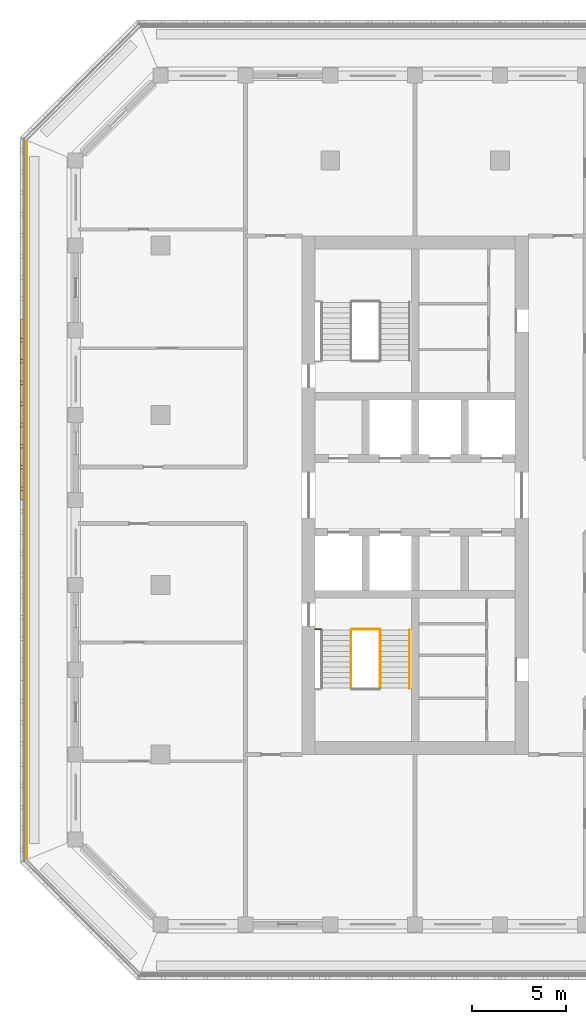
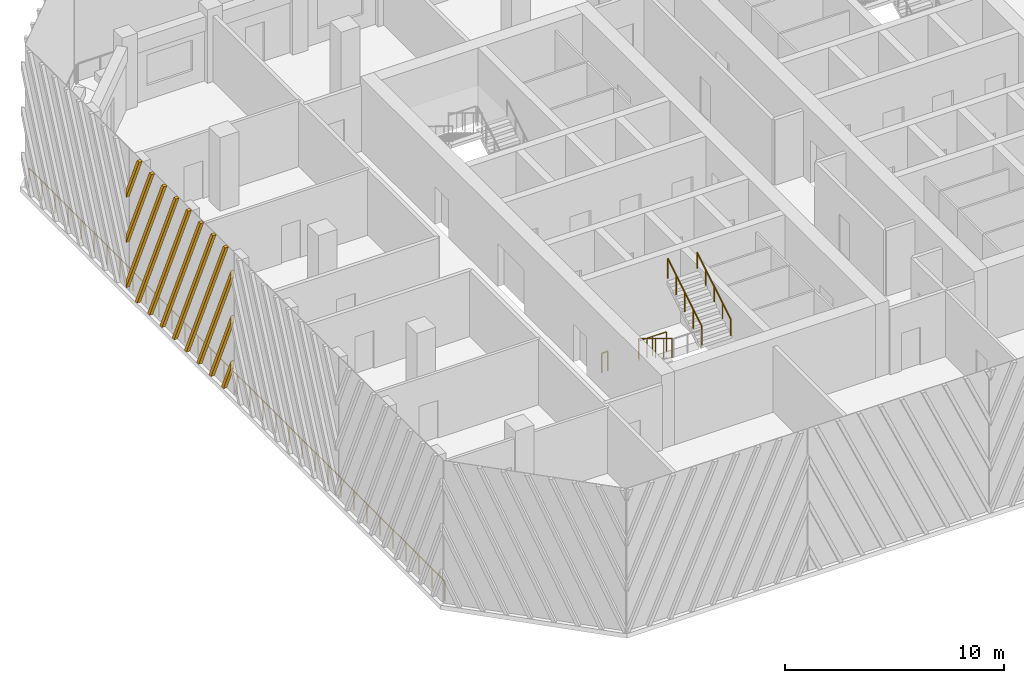
# One storey, part 10 of 15: 6 railings, 1 shading device.
"""IFC4 building model written with IfcOpenShell, lengths in metres."""

from ifc_helpers import new_model, si_unit, direction, frame, origin, origin_2d, place, context, subcontext, project, spatial, polyline, circle, outline, extrude, source, transform, mapped, material, type_object, element, save


model = new_model("IFC4")

# Units and contexts
model_context = context("Model", 3, precision=1e-05, world=origin(), true_north=direction((0.0, 1.0)))
body_context = subcontext(model_context, "Body", "Model", "MODEL_VIEW")
ifc_project = project(units=[si_unit("LENGTHUNIT", "METRE"), si_unit("AREAUNIT", "SQUARE_METRE"), si_unit("VOLUMEUNIT", "CUBIC_METRE"), si_unit("PLANEANGLEUNIT", "RADIAN"), si_unit("MASSUNIT", "GRAM", prefix="KILO")], contexts=[model_context])

# Site, building, storey
site_placement = place(None, origin())
site = spatial("IfcSite", under=ifc_project, at=site_placement, CompositionType="ELEMENT")
building_placement = place(site_placement, origin())
building = spatial("IfcBuilding", under=site, at=building_placement, Name="Corbel Stack Research Tower", CompositionType="ELEMENT")
storey_placement = place(building_placement, frame((0.0, 0.0, 282.699951171875)))
storey = spatial("IfcBuildingStorey", under=building, at=storey_placement, Name="L64", CompositionType="ELEMENT", Elevation=282.699951171875)

# Railings
ifc_material_1 = material(Name="Steel S355", Category="steel")
railing_type_1 = type_object("IfcRailingType", Name="Stair guard 1100", PredefinedType="GUARDRAIL", material=ifc_material_1)
railing_1_placement = place(storey_placement, frame((-7.89990234375, -2.39990234375, 0.1708984375)))
element("IfcRailing", 1, at=railing_1_placement, inside=storey, type_object=railing_type_1, Name="L64 ST-W1 stair guard 1", PredefinedType="GUARDRAIL", context=body_context, shape_type="SweptSolid", body=[
    extrude(circle(Radius=0.02392578125, at=origin_2d()), frame((0.0, 0.0, 1.076171875), z_axis=(0.0, -0.853666305674, 0.52082035152), x_axis=(1.0, 0.0, 0.0)), (0.0, 0.0, 1.0), 3.608154296875),
    extrude(circle(Radius=0.02099609375, at=origin_2d()), origin(), (0.0, 0.0, 1.0), 1.052001953125),
    extrude(circle(Radius=0.02099609375, at=origin_2d()), frame((0.0, -0.77001953125, 0.4697265625)), (0.0, 0.0, 1.0), 1.052001953125),
    extrude(circle(Radius=0.02099609375, at=origin_2d()), frame((0.0, -1.5400390625, 0.939453125)), (0.0, 0.0, 1.0), 1.052001953125),
    extrude(circle(Radius=0.02099609375, at=origin_2d()), frame((0.0, -2.31005859375, 1.409423828125)), (0.0, 0.0, 1.0), 1.052001953125),
    extrude(circle(Radius=0.02099609375, at=origin_2d()), frame((0.0, -3.080078125, 1.879150390625)), (0.0, 0.0, 1.0), 1.052001953125),
])
railing_2_placement = place(storey_placement, frame((-6.35009765625, -5.47998046875, 2.220947265625)))
element("IfcRailing", 2, at=railing_2_placement, inside=storey, type_object=railing_type_1, Name="L64 ST-W1 stair guard 4", PredefinedType="GUARDRAIL", context=body_context, shape_type="SweptSolid", body=[
    extrude(circle(Radius=0.02392578125, at=origin_2d()), frame((0.0, 0.0, 1.076171875), z_axis=(0.0, 0.853666305674, 0.52082035152), x_axis=(-1.0, 0.0, 0.0)), (0.0, 0.0, 1.0), 3.608154296875),
    extrude(circle(Radius=0.02099609375, at=origin_2d()), origin(), (0.0, 0.0, 1.0), 1.052001953125),
    extrude(circle(Radius=0.02099609375, at=origin_2d()), frame((0.0, 0.77001953125, 0.4697265625)), (0.0, 0.0, 1.0), 1.052001953125),
    extrude(circle(Radius=0.02099609375, at=origin_2d()), frame((0.0, 1.5400390625, 0.939453125)), (0.0, 0.0, 1.0), 1.052001953125),
    extrude(circle(Radius=0.02099609375, at=origin_2d()), frame((0.0, 2.31005859375, 1.409423828125)), (0.0, 0.0, 1.0), 1.052001953125),
    extrude(circle(Radius=0.02099609375, at=origin_2d()), frame((0.0, 3.080078125, 1.879150390625)), (0.0, 0.0, 1.0), 1.052001953125),
])
railing_3_placement = place(storey_placement, frame((-7.85009765625, -2.35009765625, 0.0)))
element("IfcRailing", 3, at=railing_3_placement, inside=storey, type_object=railing_type_1, Name="L64 ST-W1 stair guard 5", PredefinedType="GUARDRAIL", context=body_context, shape_type="SweptSolid", body=[
    extrude(circle(Radius=0.02392578125, at=origin_2d()), frame((0.0, 0.0, 1.076171875), z_axis=(1.0, 0.0, 0.0), x_axis=(0.0, 1.0, 0.0)), (0.0, 0.0, 1.0), 1.4501953125),
    extrude(circle(Radius=0.02099609375, at=origin_2d()), origin(), (0.0, 0.0, 1.0), 1.052001953125),
    extrude(circle(Radius=0.02099609375, at=origin_2d()), frame((0.72509765625, 0.0, 0.0)), (0.0, 0.0, 1.0), 1.052001953125),
    extrude(circle(Radius=0.02099609375, at=origin_2d()), frame((1.4501953125, 0.0, 0.0)), (0.0, 0.0, 1.0), 1.052001953125),
])
railing_4_placement = place(storey_placement, frame((-9.800048828125, -2.35009765625, 0.0)))
element("IfcRailing", 4, at=railing_4_placement, inside=storey, type_object=railing_type_1, Name="L64 ST-W1 stair guard 6", PredefinedType="GUARDRAIL", context=body_context, shape_type="SweptSolid", body=[
    extrude(circle(Radius=0.02392578125, at=origin_2d()), frame((0.0, 0.0, 1.076171875), z_axis=(1.0, 0.0, 0.0), x_axis=(0.0, 1.0, 0.0)), (0.0, 0.0, 1.0), 0.300048828125),
    extrude(circle(Radius=0.02099609375, at=origin_2d()), origin(), (0.0, 0.0, 1.0), 1.052001953125),
    extrude(circle(Radius=0.02099609375, at=origin_2d()), frame((0.300048828125, 0.0, 0.0)), (0.0, 0.0, 1.0), 1.052001953125),
])
ifc_material_2 = material(Name="Steel S355", Category="steel")
railing_type_2 = type_object("IfcRailingType", Name="Stair handrail 900", PredefinedType="HANDRAIL", material=ifc_material_2)
railing_5_placement = place(storey_placement, frame((-4.800048828125, -5.47998046875, 2.220947265625)))
element("IfcRailing", 5, at=railing_5_placement, inside=storey, type_object=railing_type_2, Name="L64 ST-W1 stair handrail 2", PredefinedType="HANDRAIL", context=body_context, shape_type="SweptSolid", body=[
    extrude(circle(Radius=0.02392578125, at=origin_2d()), frame((0.0, 0.0, 0.8759765625), z_axis=(0.0, 0.853666305674, 0.52082035152), x_axis=(-1.0, 0.0, 0.0)), (0.0, 0.0, 1.0), 3.608154296875),
    extrude(circle(Radius=0.02099609375, at=origin_2d()), origin(), (0.0, 0.0, 1.0), 0.851806640625),
    extrude(circle(Radius=0.02099609375, at=origin_2d()), frame((0.0, 0.77001953125, 0.4697265625)), (0.0, 0.0, 1.0), 0.851806640625),
    extrude(circle(Radius=0.02099609375, at=origin_2d()), frame((0.0, 1.5400390625, 0.939453125)), (0.0, 0.0, 1.0), 0.851806640625),
    extrude(circle(Radius=0.02099609375, at=origin_2d()), frame((0.0, 2.31005859375, 1.409423828125)), (0.0, 0.0, 1.0), 0.851806640625),
    extrude(circle(Radius=0.02099609375, at=origin_2d()), frame((0.0, 3.080078125, 1.879150390625)), (0.0, 0.0, 1.0), 0.851806640625),
])
ifc_material_3 = material(Name="Powder-coated steel guard", Category="steel")
railing_type_3 = type_object("IfcRailingType", Name="Steel and glass guard 1100", PredefinedType="GUARDRAIL", material=ifc_material_3)
railing_6_placement = place(storey_placement, frame((-25.10009765625, 23.50537109375, 0.0)))
element("IfcRailing", 6, at=railing_6_placement, inside=storey, type_object=railing_type_3, Name="Loggia guard L64 W", PredefinedType="GUARDRAIL", context=body_context, shape_type="SweptSolid", body=[
    extrude(circle(Radius=0.02392578125, at=origin_2d()), frame((0.0, 0.0, 1.076171875), z_axis=(0.0, -1.0, 0.0), x_axis=(1.0, 0.0, 0.0)), (0.0, 0.0, 1.0), 38.0107421875),
    extrude(circle(Radius=0.02099609375, at=origin_2d()), origin(), (0.0, 0.0, 1.0), 1.052001953125),
    extrude(circle(Radius=0.02099609375, at=origin_2d()), frame((0.0, -1.187744140625, 0.0)), (0.0, 0.0, 1.0), 1.052001953125),
    extrude(circle(Radius=0.02099609375, at=origin_2d()), frame((0.0, -2.375732421875, 0.0)), (0.0, 0.0, 1.0), 1.052001953125),
    extrude(circle(Radius=0.02099609375, at=origin_2d()), frame((0.0, -3.5634765625, 0.0)), (0.0, 0.0, 1.0), 1.052001953125),
    extrude(circle(Radius=0.02099609375, at=origin_2d()), frame((0.0, -4.75146484375, 0.0)), (0.0, 0.0, 1.0), 1.052001953125),
    extrude(circle(Radius=0.02099609375, at=origin_2d()), frame((0.0, -5.939208984375, 0.0)), (0.0, 0.0, 1.0), 1.052001953125),
    extrude(circle(Radius=0.02099609375, at=origin_2d()), frame((0.0, -7.126953125, 0.0)), (0.0, 0.0, 1.0), 1.052001953125),
    extrude(circle(Radius=0.02099609375, at=origin_2d()), frame((0.0, -8.31494140625, 0.0)), (0.0, 0.0, 1.0), 1.052001953125),
    extrude(circle(Radius=0.02099609375, at=origin_2d()), frame((0.0, -9.502685546875, 0.0)), (0.0, 0.0, 1.0), 1.052001953125),
    extrude(circle(Radius=0.02099609375, at=origin_2d()), frame((0.0, -10.6904296875, 0.0)), (0.0, 0.0, 1.0), 1.052001953125),
    extrude(circle(Radius=0.02099609375, at=origin_2d()), frame((0.0, -11.87841796875, 0.0)), (0.0, 0.0, 1.0), 1.052001953125),
    extrude(circle(Radius=0.02099609375, at=origin_2d()), frame((0.0, -13.066162109375, 0.0)), (0.0, 0.0, 1.0), 1.052001953125),
    extrude(circle(Radius=0.02099609375, at=origin_2d()), frame((0.0, -14.25390625, 0.0)), (0.0, 0.0, 1.0), 1.052001953125),
    extrude(circle(Radius=0.02099609375, at=origin_2d()), frame((0.0, -15.44189453125, 0.0)), (0.0, 0.0, 1.0), 1.052001953125),
    extrude(circle(Radius=0.02099609375, at=origin_2d()), frame((0.0, -16.629638671875, 0.0)), (0.0, 0.0, 1.0), 1.052001953125),
    extrude(circle(Radius=0.02099609375, at=origin_2d()), frame((0.0, -17.817626953125, 0.0)), (0.0, 0.0, 1.0), 1.052001953125),
    extrude(circle(Radius=0.02099609375, at=origin_2d()), frame((0.0, -19.00537109375, 0.0)), (0.0, 0.0, 1.0), 1.052001953125),
    extrude(circle(Radius=0.02099609375, at=origin_2d()), frame((0.0, -20.193115234375, 0.0)), (0.0, 0.0, 1.0), 1.052001953125),
    extrude(circle(Radius=0.02099609375, at=origin_2d()), frame((0.0, -21.381103515625, 0.0)), (0.0, 0.0, 1.0), 1.052001953125),
    extrude(circle(Radius=0.02099609375, at=origin_2d()), frame((0.0, -22.56884765625, 0.0)), (0.0, 0.0, 1.0), 1.052001953125),
    extrude(circle(Radius=0.02099609375, at=origin_2d()), frame((0.0, -23.7568359375, 0.0)), (0.0, 0.0, 1.0), 1.052001953125),
    extrude(circle(Radius=0.02099609375, at=origin_2d()), frame((0.0, -24.944580078125, 0.0)), (0.0, 0.0, 1.0), 1.052001953125),
    extrude(circle(Radius=0.02099609375, at=origin_2d()), frame((0.0, -26.13232421875, 0.0)), (0.0, 0.0, 1.0), 1.052001953125),
    extrude(circle(Radius=0.02099609375, at=origin_2d()), frame((0.0, -27.3203125, 0.0)), (0.0, 0.0, 1.0), 1.052001953125),
    extrude(circle(Radius=0.02099609375, at=origin_2d()), frame((0.0, -28.508056640625, 0.0)), (0.0, 0.0, 1.0), 1.052001953125),
    extrude(circle(Radius=0.02099609375, at=origin_2d()), frame((0.0, -29.69580078125, 0.0)), (0.0, 0.0, 1.0), 1.052001953125),
    extrude(circle(Radius=0.02099609375, at=origin_2d()), frame((0.0, -30.8837890625, 0.0)), (0.0, 0.0, 1.0), 1.052001953125),
    extrude(circle(Radius=0.02099609375, at=origin_2d()), frame((0.0, -32.071533203125, 0.0)), (0.0, 0.0, 1.0), 1.052001953125),
    extrude(circle(Radius=0.02099609375, at=origin_2d()), frame((0.0, -33.25927734375, 0.0)), (0.0, 0.0, 1.0), 1.052001953125),
    extrude(circle(Radius=0.02099609375, at=origin_2d()), frame((0.0, -34.447265625, 0.0)), (0.0, 0.0, 1.0), 1.052001953125),
    extrude(circle(Radius=0.02099609375, at=origin_2d()), frame((0.0, -35.635009765625, 0.0)), (0.0, 0.0, 1.0), 1.052001953125),
    extrude(circle(Radius=0.02099609375, at=origin_2d()), frame((0.0, -36.822998046875, 0.0)), (0.0, 0.0, 1.0), 1.052001953125),
    extrude(circle(Radius=0.02099609375, at=origin_2d()), frame((0.0, -38.0107421875, 0.0)), (0.0, 0.0, 1.0), 1.052001953125),
])

# Shading device
ifc_material_4 = material(Name="Precast terracotta", Category="masonry")
shading_device_type = type_object("IfcShadingDeviceType", Name="Terracotta screen panel", PredefinedType="USERDEFINED", material=ifc_material_4)
shared_shape = source(origin(), body_context, "Body", "SweptSolid", [
    extrude(outline(polyline([(1.18701171875, 7.949951171875), (0.9970703125, 7.949951171875), (0.0, 5.710693359375), (0.0, 5.283935546875), (1.18701171875, 7.949951171875)])), frame((0.0, 0.0, 0.0), z_axis=(0.0, -1.0, 0.0), x_axis=(1.0, 0.0, 0.0)), (0.0, 0.0, 1.0), 0.179931640625),
    extrude(outline(polyline([(2.31201171875, 7.949951171875), (2.1220703125, 7.949951171875), (0.0, 3.18408203125), (0.0, 2.757080078125), (2.31201171875, 7.949951171875)])), frame((0.0, 0.0, 0.0), z_axis=(0.0, -1.0, 0.0), x_axis=(1.0, 0.0, 0.0)), (0.0, 0.0, 1.0), 0.179931640625),
    extrude(outline(polyline([(3.43701171875, 7.949951171875), (3.2470703125, 7.949951171875), (0.0, 0.6572265625), (0.0, 0.23046875), (3.43701171875, 7.949951171875)])), frame((0.0, 0.0, 0.0), z_axis=(0.0, -1.0, 0.0), x_axis=(1.0, 0.0, 0.0)), (0.0, 0.0, 1.0), 0.179931640625),
    extrude(outline(polyline([(1.0224609375, 0.0), (4.56201171875, 7.949951171875), (4.3720703125, 7.949951171875), (0.83251953125, 0.0), (1.0224609375, 0.0)])), frame((0.0, 0.0, 0.0), z_axis=(0.0, -1.0, 0.0), x_axis=(1.0, 0.0, 0.0)), (0.0, 0.0, 1.0), 0.179931640625),
    extrude(outline(polyline([(2.1474609375, 0.0), (5.68701171875, 7.949951171875), (5.4970703125, 7.949951171875), (1.95751953125, 0.0), (2.1474609375, 0.0)])), frame((0.0, 0.0, 0.0), z_axis=(0.0, -1.0, 0.0), x_axis=(1.0, 0.0, 0.0)), (0.0, 0.0, 1.0), 0.179931640625),
    extrude(outline(polyline([(3.2724609375, 0.0), (6.81201171875, 7.949951171875), (6.6220703125, 7.949951171875), (3.08251953125, 0.0), (3.2724609375, 0.0)])), frame((0.0, 0.0, 0.0), z_axis=(0.0, -1.0, 0.0), x_axis=(1.0, 0.0, 0.0)), (0.0, 0.0, 1.0), 0.179931640625),
    extrude(outline(polyline([(4.3974609375, 0.0), (7.93701171875, 7.949951171875), (7.7470703125, 7.949951171875), (4.20751953125, 0.0), (4.3974609375, 0.0)])), frame((0.0, 0.0, 0.0), z_axis=(0.0, -1.0, 0.0), x_axis=(1.0, 0.0, 0.0)), (0.0, 0.0, 1.0), 0.179931640625),
    extrude(outline(polyline([(5.5224609375, 0.0), (9.06201171875, 7.949951171875), (8.8720703125, 7.949951171875), (5.33251953125, 0.0), (5.5224609375, 0.0)])), frame((0.0, 0.0, 0.0), z_axis=(0.0, -1.0, 0.0), x_axis=(1.0, 0.0, 0.0)), (0.0, 0.0, 1.0), 0.179931640625),
    extrude(outline(polyline([(6.6474609375, 0.0), (9.569580078125, 6.563232421875), (9.569580078125, 6.989990234375), (6.45751953125, 0.0), (6.6474609375, 0.0)])), frame((0.0, 0.0, 0.0), z_axis=(0.0, -1.0, 0.0), x_axis=(1.0, 0.0, 0.0)), (0.0, 0.0, 1.0), 0.179931640625),
    extrude(outline(polyline([(7.7724609375, 0.0), (9.569580078125, 4.036376953125), (9.569580078125, 4.463134765625), (7.58251953125, 0.0), (7.7724609375, 0.0)])), frame((0.0, 0.0, 0.0), z_axis=(0.0, -1.0, 0.0), x_axis=(1.0, 0.0, 0.0)), (0.0, 0.0, 1.0), 0.179931640625),
    extrude(outline(polyline([(8.8974609375, 0.0), (9.569580078125, 1.509521484375), (9.569580078125, 1.936279296875), (8.70751953125, 0.0), (8.8974609375, 0.0)])), frame((0.0, 0.0, 0.0), z_axis=(0.0, -1.0, 0.0), x_axis=(1.0, 0.0, 0.0)), (0.0, 0.0, 1.0), 0.179931640625),
])
shading_device_placement = place(storey_placement, frame((-25.25, 14.069580078125, 0.0), z_axis=(0.0, 0.0, 1.0), x_axis=(0.0, -1.0, 0.0)))
element("IfcShadingDevice", 7, at=shading_device_placement, inside=storey, type_object=shading_device_type, Name="Terracotta screen L64 W2", ObjectType="SCREEN", PredefinedType="USERDEFINED", context=body_context, shape_type="MappedRepresentation", body=[
    mapped(shared_shape, transform((0.0, 0.0, 0.0))),
])

save(model, "model.ifc")
